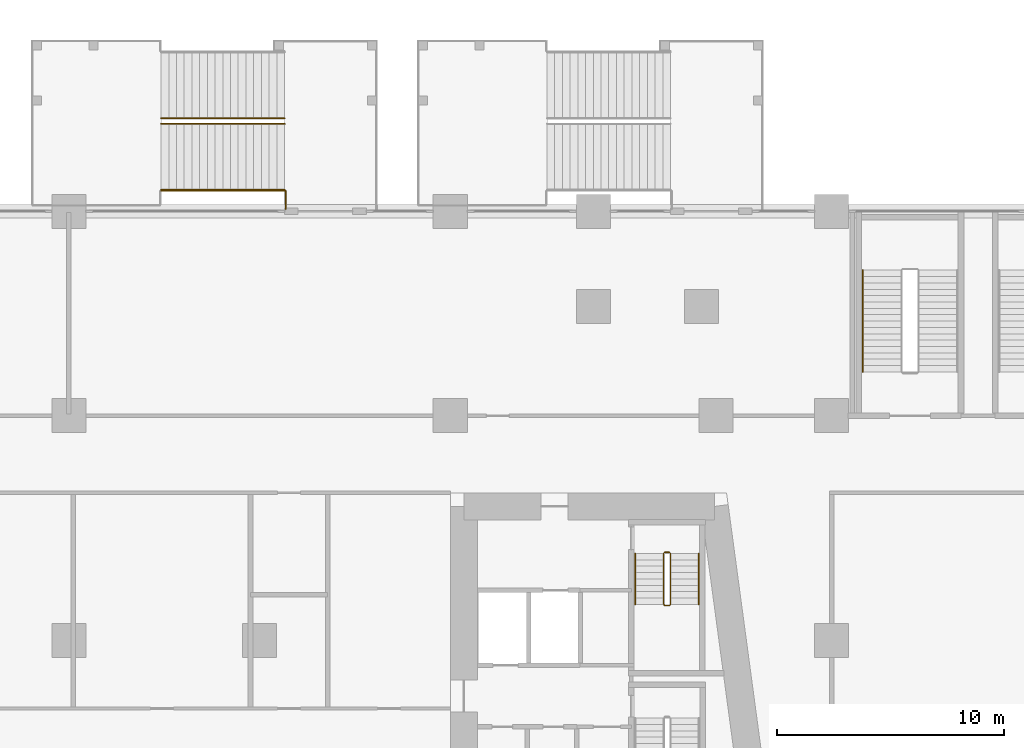
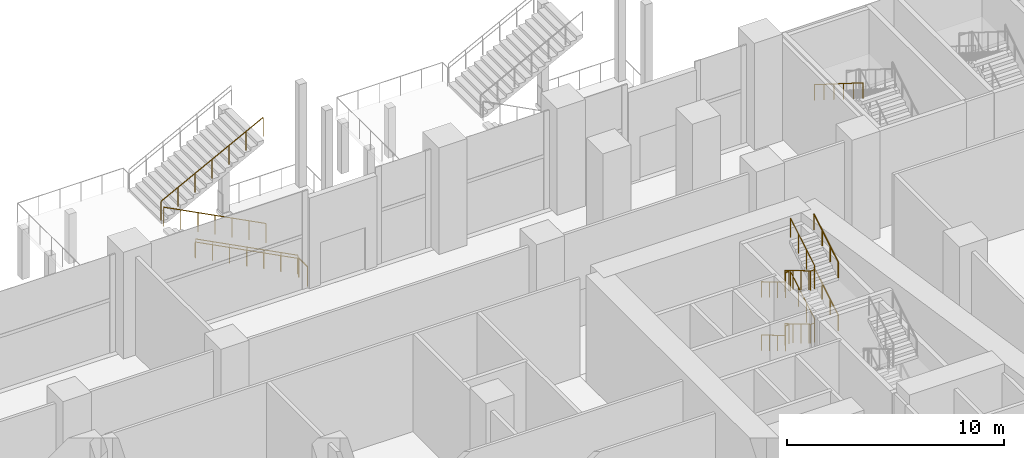
# One storey, part 42 of 47: 14 railings.
"""IFC4 building model written with IfcOpenShell, lengths in metres."""

from ifc_helpers import new_model, si_unit, direction, frame, origin, origin_2d, place, context, subcontext, project, spatial, circle, extrude, material, type_object, element, save


model = new_model("IFC4")

# Units and contexts
model_context = context("Model", 3, precision=1e-05, world=origin(), true_north=direction((0.0, 1.0)))
body_context = subcontext(model_context, "Body", "Model", "MODEL_VIEW")
ifc_project = project(units=[si_unit("LENGTHUNIT", "METRE"), si_unit("AREAUNIT", "SQUARE_METRE"), si_unit("VOLUMEUNIT", "CUBIC_METRE"), si_unit("PLANEANGLEUNIT", "RADIAN"), si_unit("MASSUNIT", "GRAM", prefix="KILO")], contexts=[model_context])

# Site, building, storey
site_placement = place(None, origin())
site = spatial("IfcSite", under=ifc_project, at=site_placement, CompositionType="ELEMENT")
building_placement = place(site_placement, origin())
building = spatial("IfcBuilding", under=site, at=building_placement, Name="Candeia Pilgrim Tower and Theatre", CompositionType="ELEMENT")
storey_placement = place(building_placement, frame((0.0, 0.0, 23.0)))
storey = spatial("IfcBuildingStorey", under=building, at=storey_placement, Name="L03", CompositionType="ELEMENT", Elevation=23.0)

# Railings
ifc_material_1 = material(Name="Stainless steel balustrade", Category="steel")
railing_type_1 = type_object("IfcRailingType", Name="RL-GUARD-1100", PredefinedType="GUARDRAIL", material=ifc_material_1)
railing_1_placement = place(storey_placement, frame((135.39794921875, 129.72509765625, 0.166748046875)))
element("IfcRailing", 1, at=railing_1_placement, inside=storey, type_object=railing_type_1, Name="L03 ST4 stair guard 1", PredefinedType="GUARDRAIL", context=body_context, shape_type="SweptSolid", body=[
    extrude(circle(Radius=0.02392578125, at=origin_2d()), frame((0.0, 0.0, 1.076171875), z_axis=(0.0, -0.859305625298, 0.511462454469), x_axis=(1.0, 0.0, 0.0)), (0.0, 0.0, 1.0), 2.606689453125),
    extrude(circle(Radius=0.02392578125, at=origin_2d()), frame((0.0, -2.239990234375, 2.4091796875), z_axis=(0.707106781187, -0.707106781187, 0.0), x_axis=(0.707106781187, 0.707106781187, 0.0)), (0.0, 0.0, 1.0), 0.07080078125),
    extrude(circle(Radius=0.02392578125, at=origin_2d()), frame((0.050048828125, -2.2900390625, 2.4091796875), z_axis=(1.0, 0.0, 0.0), x_axis=(0.0, 1.0, 0.0)), (0.0, 0.0, 1.0), 0.199951171875),
    extrude(circle(Radius=0.02392578125, at=origin_2d()), frame((0.25, -2.2900390625, 2.4091796875), z_axis=(0.27628659633, 0.27628659633, 0.920506074601), x_axis=(-0.707106781187, 0.707106781187, 0.0)), (0.0, 0.0, 1.0), 0.18115234375),
    extrude(circle(Radius=0.02392578125, at=origin_2d()), frame((0.300048828125, -2.239990234375, 2.576171875), z_axis=(0.0, 0.859305625298, 0.511462454469), x_axis=(-1.0, 0.0, 0.0)), (0.0, 0.0, 1.0), 2.606689453125),
    extrude(circle(Radius=0.02099609375, at=origin_2d()), origin(), (0.0, 0.0, 1.0), 1.052001953125),
    extrude(circle(Radius=0.02099609375, at=origin_2d()), frame((0.0, -0.74658203125, 0.4443359375)), (0.0, 0.0, 1.0), 1.052001953125),
    extrude(circle(Radius=0.02099609375, at=origin_2d()), frame((0.0, -1.493408203125, 0.888916015625)), (0.0, 0.0, 1.0), 1.052001953125),
    extrude(circle(Radius=0.02099609375, at=origin_2d()), frame((0.0, -2.239990234375, 1.333251953125)), (0.0, 0.0, 1.0), 1.052001953125),
    extrude(circle(Radius=0.02099609375, at=origin_2d()), frame((0.050048828125, -2.2900390625, 1.333251953125)), (0.0, 0.0, 1.0), 1.052001953125),
    extrude(circle(Radius=0.02099609375, at=origin_2d()), frame((0.25, -2.2900390625, 1.333251953125)), (0.0, 0.0, 1.0), 1.052001953125),
    extrude(circle(Radius=0.02099609375, at=origin_2d()), frame((0.300048828125, -2.239990234375, 1.5)), (0.0, 0.0, 1.0), 1.052001953125),
    extrude(circle(Radius=0.02099609375, at=origin_2d()), frame((0.300048828125, -1.493408203125, 1.9443359375)), (0.0, 0.0, 1.0), 1.052001953125),
    extrude(circle(Radius=0.02099609375, at=origin_2d()), frame((0.300048828125, -0.74658203125, 2.388916015625)), (0.0, 0.0, 1.0), 1.052001953125),
    extrude(circle(Radius=0.02099609375, at=origin_2d()), frame((0.300048828125, 0.0, 2.833251953125)), (0.0, 0.0, 1.0), 1.052001953125),
])
railing_2_placement = place(storey_placement, frame((135.447998046875, 129.77490234375, 3.0)))
element("IfcRailing", 2, at=railing_2_placement, inside=storey, type_object=railing_type_1, Name="L03 ST4 stair guard 2", PredefinedType="GUARDRAIL", context=body_context, shape_type="SweptSolid", body=[
    extrude(circle(Radius=0.02392578125, at=origin_2d()), frame((0.0, 0.0, 1.076171875), z_axis=(1.0, 0.0, 0.0), x_axis=(0.0, 1.0, 0.0)), (0.0, 0.0, 1.0), 0.199951171875),
    extrude(circle(Radius=0.02099609375, at=origin_2d()), origin(), (0.0, 0.0, 1.0), 1.052001953125),
    extrude(circle(Radius=0.02099609375, at=origin_2d()), frame((0.199951171875, 0.0, 0.0)), (0.0, 0.0, 1.0), 1.052001953125),
])
railing_3_placement = place(storey_placement, frame((135.39794921875, 129.72509765625, 3.166748046875)))
element("IfcRailing", 3, at=railing_3_placement, inside=storey, type_object=railing_type_1, Name="L03 ST4 stair guard 3", PredefinedType="GUARDRAIL", context=body_context, shape_type="SweptSolid", body=[
    extrude(circle(Radius=0.02392578125, at=origin_2d()), frame((0.0, 0.0, 1.076171875), z_axis=(0.0, -0.859305625298, 0.511462454469), x_axis=(1.0, 0.0, 0.0)), (0.0, 0.0, 1.0), 2.606689453125),
    extrude(circle(Radius=0.02392578125, at=origin_2d()), frame((0.0, -2.239990234375, 2.4091796875), z_axis=(0.707106781187, -0.707106781187, 0.0), x_axis=(0.707106781187, 0.707106781187, 0.0)), (0.0, 0.0, 1.0), 0.07080078125),
    extrude(circle(Radius=0.02392578125, at=origin_2d()), frame((0.050048828125, -2.2900390625, 2.4091796875), z_axis=(1.0, 0.0, 0.0), x_axis=(0.0, 1.0, 0.0)), (0.0, 0.0, 1.0), 0.199951171875),
    extrude(circle(Radius=0.02392578125, at=origin_2d()), frame((0.25, -2.2900390625, 2.4091796875), z_axis=(0.27628659633, 0.27628659633, 0.920506074601), x_axis=(-0.707106781187, 0.707106781187, 0.0)), (0.0, 0.0, 1.0), 0.18115234375),
    extrude(circle(Radius=0.02392578125, at=origin_2d()), frame((0.300048828125, -2.239990234375, 2.576171875), z_axis=(0.0, 0.859305625298, 0.511462454469), x_axis=(-1.0, 0.0, 0.0)), (0.0, 0.0, 1.0), 2.606689453125),
    extrude(circle(Radius=0.02099609375, at=origin_2d()), origin(), (0.0, 0.0, 1.0), 1.052001953125),
    extrude(circle(Radius=0.02099609375, at=origin_2d()), frame((0.0, -0.74658203125, 0.4443359375)), (0.0, 0.0, 1.0), 1.052001953125),
    extrude(circle(Radius=0.02099609375, at=origin_2d()), frame((0.0, -1.493408203125, 0.888916015625)), (0.0, 0.0, 1.0), 1.052001953125),
    extrude(circle(Radius=0.02099609375, at=origin_2d()), frame((0.0, -2.239990234375, 1.333251953125)), (0.0, 0.0, 1.0), 1.052001953125),
    extrude(circle(Radius=0.02099609375, at=origin_2d()), frame((0.050048828125, -2.2900390625, 1.333251953125)), (0.0, 0.0, 1.0), 1.052001953125),
    extrude(circle(Radius=0.02099609375, at=origin_2d()), frame((0.25, -2.2900390625, 1.333251953125)), (0.0, 0.0, 1.0), 1.052001953125),
    extrude(circle(Radius=0.02099609375, at=origin_2d()), frame((0.300048828125, -2.239990234375, 1.5)), (0.0, 0.0, 1.0), 1.052001953125),
    extrude(circle(Radius=0.02099609375, at=origin_2d()), frame((0.300048828125, -1.493408203125, 1.9443359375)), (0.0, 0.0, 1.0), 1.052001953125),
    extrude(circle(Radius=0.02099609375, at=origin_2d()), frame((0.300048828125, -0.74658203125, 2.388916015625)), (0.0, 0.0, 1.0), 1.052001953125),
    extrude(circle(Radius=0.02099609375, at=origin_2d()), frame((0.300048828125, 0.0, 2.833251953125)), (0.0, 0.0, 1.0), 1.052001953125),
])
railing_4_placement = place(storey_placement, frame((135.447998046875, 129.77490234375, 0.0)))
element("IfcRailing", 4, at=railing_4_placement, inside=storey, type_object=railing_type_1, Name="L03 ST4 stair guard 4", PredefinedType="GUARDRAIL", context=body_context, shape_type="SweptSolid", body=[
    extrude(circle(Radius=0.02392578125, at=origin_2d()), frame((0.0, 0.0, 1.076171875), z_axis=(1.0, 0.0, 0.0), x_axis=(0.0, 1.0, 0.0)), (0.0, 0.0, 1.0), 0.199951171875),
    extrude(circle(Radius=0.02099609375, at=origin_2d()), origin(), (0.0, 0.0, 1.0), 1.052001953125),
    extrude(circle(Radius=0.02099609375, at=origin_2d()), frame((0.199951171875, 0.0, 0.0)), (0.0, 0.0, 1.0), 1.052001953125),
])
railing_5_placement = place(storey_placement, frame((118.699951171875, 148.64990234375, 0.176513671875)))
element("IfcRailing", 5, at=railing_5_placement, inside=storey, type_object=railing_type_1, Name="L03 ES6 stair guard 1", PredefinedType="GUARDRAIL", context=body_context, shape_type="SweptSolid", body=[
    extrude(circle(Radius=0.02392578125, at=origin_2d()), frame((0.0, 0.0, 1.076171875), z_axis=(-0.887569374008, 0.0, 0.460674078198), x_axis=(0.0, -1.0, 0.0)), (0.0, 0.0, 1.0), 6.129150390625),
    extrude(circle(Radius=0.02099609375, at=origin_2d()), origin(), (0.0, 0.0, 1.0), 1.052001953125),
    extrude(circle(Radius=0.02099609375, at=origin_2d()), frame((-0.90673828125, 0.0, 0.470703125)), (0.0, 0.0, 1.0), 1.052001953125),
    extrude(circle(Radius=0.02099609375, at=origin_2d()), frame((-1.813232421875, 0.0, 0.941162109375)), (0.0, 0.0, 1.0), 1.052001953125),
    extrude(circle(Radius=0.02099609375, at=origin_2d()), frame((-2.719970703125, 0.0, 1.41162109375)), (0.0, 0.0, 1.0), 1.052001953125),
    extrude(circle(Radius=0.02099609375, at=origin_2d()), frame((-3.626708984375, 0.0, 1.88232421875)), (0.0, 0.0, 1.0), 1.052001953125),
    extrude(circle(Radius=0.02099609375, at=origin_2d()), frame((-4.533203125, 0.0, 2.35302734375)), (0.0, 0.0, 1.0), 1.052001953125),
    extrude(circle(Radius=0.02099609375, at=origin_2d()), frame((-5.43994140625, 0.0, 2.823486328125)), (0.0, 0.0, 1.0), 1.052001953125),
])
railing_6_placement = place(storey_placement, frame((113.260009765625, 148.89990234375, 3.176513671875)))
element("IfcRailing", 6, at=railing_6_placement, inside=storey, type_object=railing_type_1, Name="L03 ES6 stair guard 2", PredefinedType="GUARDRAIL", context=body_context, shape_type="SweptSolid", body=[
    extrude(circle(Radius=0.02392578125, at=origin_2d()), frame((0.0, 0.0, 1.076171875), z_axis=(0.887569374008, 0.0, 0.460674078198), x_axis=(0.0, 1.0, 0.0)), (0.0, 0.0, 1.0), 6.129150390625),
    extrude(circle(Radius=0.02099609375, at=origin_2d()), origin(), (0.0, 0.0, 1.0), 1.052001953125),
    extrude(circle(Radius=0.02099609375, at=origin_2d()), frame((0.90673828125, 0.0, 0.470703125)), (0.0, 0.0, 1.0), 1.052001953125),
    extrude(circle(Radius=0.02099609375, at=origin_2d()), frame((1.813232421875, 0.0, 0.941162109375)), (0.0, 0.0, 1.0), 1.052001953125),
    extrude(circle(Radius=0.02099609375, at=origin_2d()), frame((2.719970703125, 0.0, 1.41162109375)), (0.0, 0.0, 1.0), 1.052001953125),
    extrude(circle(Radius=0.02099609375, at=origin_2d()), frame((3.626708984375, 0.0, 1.88232421875)), (0.0, 0.0, 1.0), 1.052001953125),
    extrude(circle(Radius=0.02099609375, at=origin_2d()), frame((4.533203125, 0.0, 2.35302734375)), (0.0, 0.0, 1.0), 1.052001953125),
    extrude(circle(Radius=0.02099609375, at=origin_2d()), frame((5.43994140625, 0.0, 2.823486328125)), (0.0, 0.0, 1.0), 1.052001953125),
])
railing_7_placement = place(storey_placement, frame((118.699951171875, 145.699951171875, 0.176513671875)))
element("IfcRailing", 7, at=railing_7_placement, inside=storey, type_object=railing_type_1, Name="L03 ES6 stair guard 3", PredefinedType="GUARDRAIL", context=body_context, shape_type="SweptSolid", body=[
    extrude(circle(Radius=0.02392578125, at=origin_2d()), frame((0.0, 0.0, 1.076171875), z_axis=(-0.887569374008, 0.0, 0.460674078198), x_axis=(0.0, -1.0, 0.0)), (0.0, 0.0, 1.0), 6.129150390625),
    extrude(circle(Radius=0.02099609375, at=origin_2d()), origin(), (0.0, 0.0, 1.0), 1.052001953125),
    extrude(circle(Radius=0.02099609375, at=origin_2d()), frame((-0.90673828125, 0.0, 0.470703125)), (0.0, 0.0, 1.0), 1.052001953125),
    extrude(circle(Radius=0.02099609375, at=origin_2d()), frame((-1.813232421875, 0.0, 0.941162109375)), (0.0, 0.0, 1.0), 1.052001953125),
    extrude(circle(Radius=0.02099609375, at=origin_2d()), frame((-2.719970703125, 0.0, 1.41162109375)), (0.0, 0.0, 1.0), 1.052001953125),
    extrude(circle(Radius=0.02099609375, at=origin_2d()), frame((-3.626708984375, 0.0, 1.88232421875)), (0.0, 0.0, 1.0), 1.052001953125),
    extrude(circle(Radius=0.02099609375, at=origin_2d()), frame((-4.533203125, 0.0, 2.35302734375)), (0.0, 0.0, 1.0), 1.052001953125),
    extrude(circle(Radius=0.02099609375, at=origin_2d()), frame((-5.43994140625, 0.0, 2.823486328125)), (0.0, 0.0, 1.0), 1.052001953125),
])
railing_8_placement = place(storey_placement, frame((118.75, 144.89990234375, 0.0)))
element("IfcRailing", 8, at=railing_8_placement, inside=storey, type_object=railing_type_1, Name="L03 External escape stair ES6 bridge guard", PredefinedType="GUARDRAIL", context=body_context, shape_type="SweptSolid", body=[
    extrude(circle(Radius=0.02392578125, at=origin_2d()), frame((0.0, 0.0, 1.076171875), z_axis=(0.0, 1.0, 0.0), x_axis=(-1.0, 0.0, 0.0)), (0.0, 0.0, 1.0), 0.800048828125),
    extrude(circle(Radius=0.02099609375, at=origin_2d()), origin(), (0.0, 0.0, 1.0), 1.052001953125),
    extrude(circle(Radius=0.02099609375, at=origin_2d()), frame((0.0, 0.800048828125, 0.0)), (0.0, 0.0, 1.0), 1.052001953125),
])
ifc_material_2 = material(Name="Stainless steel handrail", Category="steel")
railing_type_2 = type_object("IfcRailingType", Name="RL-HANDRAIL-900", PredefinedType="HANDRAIL", material=ifc_material_2)
railing_9_placement = place(storey_placement, frame((134.14794921875, 129.72509765625, 0.166748046875)))
element("IfcRailing", 9, at=railing_9_placement, inside=storey, type_object=railing_type_2, Name="L03 ST4 stair handrail 1", PredefinedType="HANDRAIL", context=body_context, shape_type="SweptSolid", body=[
    extrude(circle(Radius=0.02392578125, at=origin_2d()), frame((0.0, 0.0, 0.8759765625), z_axis=(0.0, -0.859305625298, 0.511462454469), x_axis=(1.0, 0.0, 0.0)), (0.0, 0.0, 1.0), 2.606689453125),
    extrude(circle(Radius=0.02099609375, at=origin_2d()), origin(), (0.0, 0.0, 1.0), 0.851806640625),
    extrude(circle(Radius=0.02099609375, at=origin_2d()), frame((0.0, -0.74658203125, 0.4443359375)), (0.0, 0.0, 1.0), 0.851806640625),
    extrude(circle(Radius=0.02099609375, at=origin_2d()), frame((0.0, -1.493408203125, 0.888916015625)), (0.0, 0.0, 1.0), 0.851806640625),
    extrude(circle(Radius=0.02099609375, at=origin_2d()), frame((0.0, -2.239990234375, 1.333251953125)), (0.0, 0.0, 1.0), 0.851806640625),
])
railing_10_placement = place(storey_placement, frame((136.947998046875, 127.485107421875, 1.666748046875)))
element("IfcRailing", 10, at=railing_10_placement, inside=storey, type_object=railing_type_2, Name="L03 ST4 stair handrail 2", PredefinedType="HANDRAIL", context=body_context, shape_type="SweptSolid", body=[
    extrude(circle(Radius=0.02392578125, at=origin_2d()), frame((0.0, 0.0, 0.8759765625), z_axis=(0.0, 0.859305625298, 0.511462454469), x_axis=(-1.0, 0.0, 0.0)), (0.0, 0.0, 1.0), 2.606689453125),
    extrude(circle(Radius=0.02099609375, at=origin_2d()), origin(), (0.0, 0.0, 1.0), 0.851806640625),
    extrude(circle(Radius=0.02099609375, at=origin_2d()), frame((0.0, 0.74658203125, 0.4443359375)), (0.0, 0.0, 1.0), 0.851806640625),
    extrude(circle(Radius=0.02099609375, at=origin_2d()), frame((0.0, 1.493408203125, 0.888916015625)), (0.0, 0.0, 1.0), 0.851806640625),
    extrude(circle(Radius=0.02099609375, at=origin_2d()), frame((0.0, 2.239990234375, 1.333251953125)), (0.0, 0.0, 1.0), 0.851806640625),
])
railing_11_placement = place(storey_placement, frame((134.14794921875, 129.72509765625, 3.166748046875)))
element("IfcRailing", 11, at=railing_11_placement, inside=storey, type_object=railing_type_2, Name="L03 ST4 stair handrail 3", PredefinedType="HANDRAIL", context=body_context, shape_type="SweptSolid", body=[
    extrude(circle(Radius=0.02392578125, at=origin_2d()), frame((0.0, 0.0, 0.8759765625), z_axis=(0.0, -0.859305625298, 0.511462454469), x_axis=(1.0, 0.0, 0.0)), (0.0, 0.0, 1.0), 2.606689453125),
    extrude(circle(Radius=0.02099609375, at=origin_2d()), origin(), (0.0, 0.0, 1.0), 0.851806640625),
    extrude(circle(Radius=0.02099609375, at=origin_2d()), frame((0.0, -0.74658203125, 0.4443359375)), (0.0, 0.0, 1.0), 0.851806640625),
    extrude(circle(Radius=0.02099609375, at=origin_2d()), frame((0.0, -1.493408203125, 0.888916015625)), (0.0, 0.0, 1.0), 0.851806640625),
    extrude(circle(Radius=0.02099609375, at=origin_2d()), frame((0.0, -2.239990234375, 1.333251953125)), (0.0, 0.0, 1.0), 0.851806640625),
])
railing_12_placement = place(storey_placement, frame((136.947998046875, 127.485107421875, 4.666748046875)))
element("IfcRailing", 12, at=railing_12_placement, inside=storey, type_object=railing_type_2, Name="L03 ST4 stair handrail 4", PredefinedType="HANDRAIL", context=body_context, shape_type="SweptSolid", body=[
    extrude(circle(Radius=0.02392578125, at=origin_2d()), frame((0.0, 0.0, 0.8759765625), z_axis=(0.0, 0.859305625298, 0.511462454469), x_axis=(-1.0, 0.0, 0.0)), (0.0, 0.0, 1.0), 2.606689453125),
    extrude(circle(Radius=0.02099609375, at=origin_2d()), origin(), (0.0, 0.0, 1.0), 0.851806640625),
    extrude(circle(Radius=0.02099609375, at=origin_2d()), frame((0.0, 0.74658203125, 0.4443359375)), (0.0, 0.0, 1.0), 0.851806640625),
    extrude(circle(Radius=0.02099609375, at=origin_2d()), frame((0.0, 1.493408203125, 0.888916015625)), (0.0, 0.0, 1.0), 0.851806640625),
    extrude(circle(Radius=0.02099609375, at=origin_2d()), frame((0.0, 2.239990234375, 1.333251953125)), (0.0, 0.0, 1.0), 0.851806640625),
])
railing_13_placement = place(storey_placement, frame((144.175048828125, 142.205078125, 3.176513671875)))
element("IfcRailing", 13, at=railing_13_placement, inside=storey, type_object=railing_type_2, Name="L03 PS3 stair handrail 2", PredefinedType="HANDRAIL", context=body_context, shape_type="SweptSolid", body=[
    extrude(circle(Radius=0.02392578125, at=origin_2d()), frame((0.0, 0.0, 0.8759765625), z_axis=(0.0, -0.845997938375, 0.533186166611), x_axis=(1.0, 0.0, 0.0)), (0.0, 0.0, 1.0), 5.29541015625),
    extrude(circle(Radius=0.02099609375, at=origin_2d()), origin(), (0.0, 0.0, 1.0), 0.851806640625),
    extrude(circle(Radius=0.02099609375, at=origin_2d()), frame((0.0, -0.89599609375, 0.564697265625)), (0.0, 0.0, 1.0), 0.851806640625),
    extrude(circle(Radius=0.02099609375, at=origin_2d()), frame((0.0, -1.7919921875, 1.12939453125)), (0.0, 0.0, 1.0), 0.851806640625),
    extrude(circle(Radius=0.02099609375, at=origin_2d()), frame((0.0, -2.68798828125, 1.694091796875)), (0.0, 0.0, 1.0), 0.851806640625),
    extrude(circle(Radius=0.02099609375, at=origin_2d()), frame((0.0, -3.583984375, 2.2587890625)), (0.0, 0.0, 1.0), 0.851806640625),
    extrude(circle(Radius=0.02099609375, at=origin_2d()), frame((0.0, -4.47998046875, 2.823486328125)), (0.0, 0.0, 1.0), 0.851806640625),
])
railing_14_placement = place(storey_placement, frame((118.699951171875, 145.75, 0.176513671875)))
element("IfcRailing", 14, at=railing_14_placement, inside=storey, type_object=railing_type_2, Name="L03 ES6 stair handrail 1", PredefinedType="HANDRAIL", context=body_context, shape_type="SweptSolid", body=[
    extrude(circle(Radius=0.02392578125, at=origin_2d()), frame((0.0, 0.0, 0.8759765625), z_axis=(-0.887569374008, 0.0, 0.460674078198), x_axis=(0.0, -1.0, 0.0)), (0.0, 0.0, 1.0), 6.129150390625),
    extrude(circle(Radius=0.02099609375, at=origin_2d()), origin(), (0.0, 0.0, 1.0), 0.851806640625),
    extrude(circle(Radius=0.02099609375, at=origin_2d()), frame((-0.90673828125, 0.0, 0.470703125)), (0.0, 0.0, 1.0), 0.851806640625),
    extrude(circle(Radius=0.02099609375, at=origin_2d()), frame((-1.813232421875, 0.0, 0.941162109375)), (0.0, 0.0, 1.0), 0.851806640625),
    extrude(circle(Radius=0.02099609375, at=origin_2d()), frame((-2.719970703125, 0.0, 1.41162109375)), (0.0, 0.0, 1.0), 0.851806640625),
    extrude(circle(Radius=0.02099609375, at=origin_2d()), frame((-3.626708984375, 0.0, 1.88232421875)), (0.0, 0.0, 1.0), 0.851806640625),
    extrude(circle(Radius=0.02099609375, at=origin_2d()), frame((-4.533203125, 0.0, 2.35302734375)), (0.0, 0.0, 1.0), 0.851806640625),
    extrude(circle(Radius=0.02099609375, at=origin_2d()), frame((-5.43994140625, 0.0, 2.823486328125)), (0.0, 0.0, 1.0), 0.851806640625),
])

save(model, "model.ifc")
